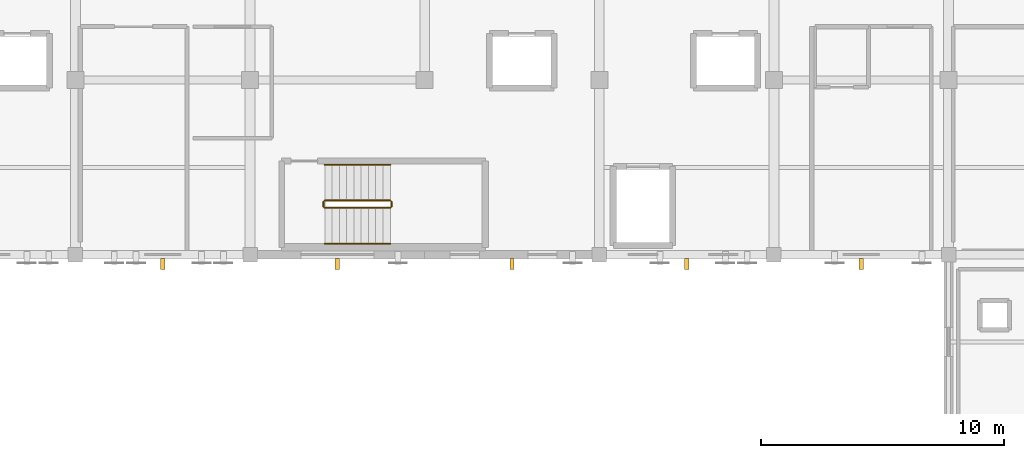
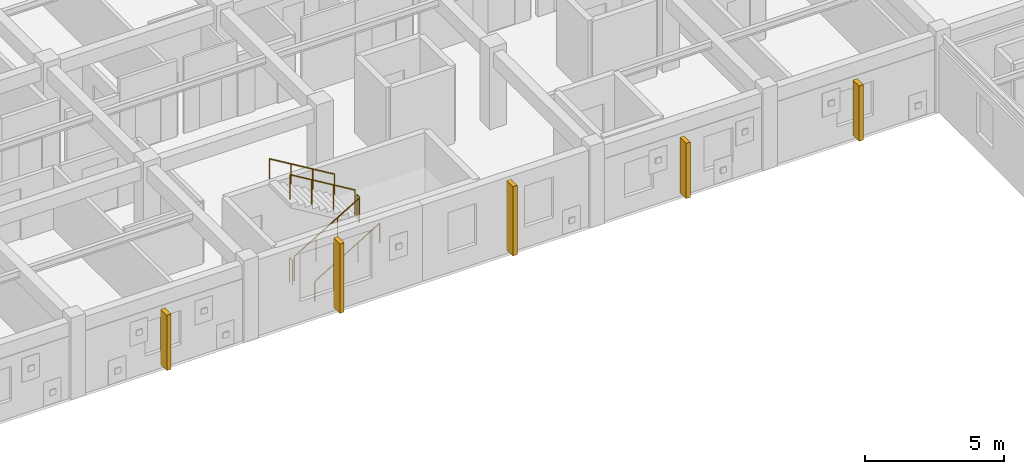
# One storey, part 71 of 73: 6 railings, 5 shading devices.
"""IFC4 building model written with IfcOpenShell, lengths in metres."""

from ifc_helpers import new_model, si_unit, direction, frame, origin, origin_2d, place, context, subcontext, project, spatial, rectangle, circle, extrude, material, layer, layer_set, type_object, element, save


model = new_model("IFC4")

# Units and contexts
model_context = context("Model", 3, precision=1e-05, world=origin(), true_north=direction((0.0, 1.0)))
body_context = subcontext(model_context, "Body", "Model", "MODEL_VIEW")
ifc_project = project(units=[si_unit("LENGTHUNIT", "METRE"), si_unit("AREAUNIT", "SQUARE_METRE"), si_unit("VOLUMEUNIT", "CUBIC_METRE"), si_unit("PLANEANGLEUNIT", "RADIAN"), si_unit("MASSUNIT", "GRAM", prefix="KILO")], contexts=[model_context])

# Site, building, storey
site_placement = place(None, origin())
site = spatial("IfcSite", under=ifc_project, at=site_placement, CompositionType="ELEMENT")
building_placement = place(site_placement, origin())
building = spatial("IfcBuilding", under=site, at=building_placement, Name="Carrowvane Square Congress Hotel", CompositionType="ELEMENT")
storey_placement = place(building_placement, frame((0.0, 0.0, 19.199951171875)))
storey = spatial("IfcBuildingStorey", under=building, at=storey_placement, Name="L04", CompositionType="ELEMENT", Elevation=19.199951171875)

# Railings
ifc_material_1 = material(Name="Stainless steel 316", Category="steel")
ifc_layer_1 = layer(ifc_material_1, 0.048095703125)
ifc_layer_set_1 = layer_set([ifc_layer_1], Name="Stainless steel 316")
railing_type_1 = type_object("IfcRailingType", Name="RLG-HR-900", PredefinedType="HANDRAIL", material=ifc_layer_set_1)
railing_1_placement = place(storey_placement, frame((101.080078125, 92.25, 0.179931640625)))
element("IfcRailing", 1, at=railing_1_placement, inside=storey, type_object=railing_type_1, Name="L04 ST3 stair handrail 1", PredefinedType="HANDRAIL", context=body_context, shape_type="SweptSolid", body=[
    extrude(circle(Radius=0.02392578125, at=origin_2d()), frame((0.0, 0.0, 0.8759765625), z_axis=(0.857472400752, 0.0, 0.514529962148), x_axis=(0.0, 1.0, 0.0)), (0.0, 0.0, 1.0), 3.148681640625),
    extrude(circle(Radius=0.02099609375, at=origin_2d()), origin(), (0.0, 0.0, 1.0), 0.851806640625),
    extrude(circle(Radius=0.02099609375, at=origin_2d()), frame((0.89990234375, 0.0, 0.5400390625)), (0.0, 0.0, 1.0), 0.851806640625),
    extrude(circle(Radius=0.02099609375, at=origin_2d()), frame((1.800048828125, 0.0, 1.080078125)), (0.0, 0.0, 1.0), 0.851806640625),
    extrude(circle(Radius=0.02099609375, at=origin_2d()), frame((2.699951171875, 0.0, 1.6201171875)), (0.0, 0.0, 1.0), 0.851806640625),
])
railing_2_placement = place(storey_placement, frame((103.780029296875, 95.510009765625, 1.97998046875)))
element("IfcRailing", 2, at=railing_2_placement, inside=storey, type_object=railing_type_1, Name="L04 ST3 stair handrail 2", PredefinedType="HANDRAIL", context=body_context, shape_type="SweptSolid", body=[
    extrude(circle(Radius=0.02392578125, at=origin_2d()), frame((0.0, 0.0, 0.8759765625), z_axis=(-0.857472400752, 0.0, 0.514529962148), x_axis=(0.0, -1.0, 0.0)), (0.0, 0.0, 1.0), 3.148681640625),
    extrude(circle(Radius=0.02099609375, at=origin_2d()), origin(), (0.0, 0.0, 1.0), 0.851806640625),
    extrude(circle(Radius=0.02099609375, at=origin_2d()), frame((-0.89990234375, 0.0, 0.5400390625)), (0.0, 0.0, 1.0), 0.851806640625),
    extrude(circle(Radius=0.02099609375, at=origin_2d()), frame((-1.800048828125, 0.0, 1.080078125)), (0.0, 0.0, 1.0), 0.851806640625),
    extrude(circle(Radius=0.02099609375, at=origin_2d()), frame((-2.699951171875, 0.0, 1.6201171875)), (0.0, 0.0, 1.0), 0.851806640625),
])
ifc_material_2 = material(Name="Galvanised steel", Category="steel")
ifc_layer_2 = layer(ifc_material_2, 0.048095703125)
ifc_layer_set_2 = layer_set([ifc_layer_2], Name="Galvanised steel")
railing_type_2 = type_object("IfcRailingType", Name="RLG-STG-1100", PredefinedType="GUARDRAIL", material=ifc_layer_set_2)
railing_3_placement = place(storey_placement, frame((101.080078125, 93.72998046875, 0.179931640625)))
element("IfcRailing", 3, at=railing_3_placement, inside=storey, type_object=railing_type_2, Name="L04 ST3 stair guard 1", PredefinedType="GUARDRAIL", context=body_context, shape_type="SweptSolid", body=[
    extrude(circle(Radius=0.02392578125, at=origin_2d()), frame((0.0, 0.0, 1.076171875), z_axis=(0.857472400752, 0.0, 0.514529962148), x_axis=(0.0, 1.0, 0.0)), (0.0, 0.0, 1.0), 3.148681640625),
    extrude(circle(Radius=0.02099609375, at=origin_2d()), origin(), (0.0, 0.0, 1.0), 1.052001953125),
    extrude(circle(Radius=0.02099609375, at=origin_2d()), frame((0.89990234375, 0.0, 0.5400390625)), (0.0, 0.0, 1.0), 1.052001953125),
    extrude(circle(Radius=0.02099609375, at=origin_2d()), frame((1.800048828125, 0.0, 1.080078125)), (0.0, 0.0, 1.0), 1.052001953125),
    extrude(circle(Radius=0.02099609375, at=origin_2d()), frame((2.699951171875, 0.0, 1.6201171875)), (0.0, 0.0, 1.0), 1.052001953125),
])
railing_4_placement = place(storey_placement, frame((103.830078125, 93.780029296875, 1.800048828125)))
element("IfcRailing", 4, at=railing_4_placement, inside=storey, type_object=railing_type_2, Name="L04 ST3 stair guard 2", PredefinedType="GUARDRAIL", context=body_context, shape_type="SweptSolid", body=[
    extrude(circle(Radius=0.02392578125, at=origin_2d()), frame((0.0, 0.0, 1.076171875), z_axis=(0.0, 1.0, 0.0), x_axis=(-1.0, 0.0, 0.0)), (0.0, 0.0, 1.0), 0.199951171875),
    extrude(circle(Radius=0.02099609375, at=origin_2d()), origin(), (0.0, 0.0, 1.0), 1.052001953125),
    extrude(circle(Radius=0.02099609375, at=origin_2d()), frame((0.0, 0.199951171875, 0.0)), (0.0, 0.0, 1.0), 1.052001953125),
])
railing_5_placement = place(storey_placement, frame((103.780029296875, 94.030029296875, 1.97998046875)))
element("IfcRailing", 5, at=railing_5_placement, inside=storey, type_object=railing_type_2, Name="L04 ST3 stair guard 3", PredefinedType="GUARDRAIL", context=body_context, shape_type="SweptSolid", body=[
    extrude(circle(Radius=0.02392578125, at=origin_2d()), frame((0.0, 0.0, 1.076171875), z_axis=(-0.857472400752, 0.0, 0.514529962148), x_axis=(0.0, -1.0, 0.0)), (0.0, 0.0, 1.0), 3.148681640625),
    extrude(circle(Radius=0.02099609375, at=origin_2d()), origin(), (0.0, 0.0, 1.0), 1.052001953125),
    extrude(circle(Radius=0.02099609375, at=origin_2d()), frame((-0.89990234375, 0.0, 0.5400390625)), (0.0, 0.0, 1.0), 1.052001953125),
    extrude(circle(Radius=0.02099609375, at=origin_2d()), frame((-1.800048828125, 0.0, 1.080078125)), (0.0, 0.0, 1.0), 1.052001953125),
    extrude(circle(Radius=0.02099609375, at=origin_2d()), frame((-2.699951171875, 0.0, 1.6201171875)), (0.0, 0.0, 1.0), 1.052001953125),
])
railing_6_placement = place(storey_placement, frame((101.030029296875, 93.780029296875, 0.0)))
element("IfcRailing", 6, at=railing_6_placement, inside=storey, type_object=railing_type_2, Name="L04 ST3 stair guard 4", PredefinedType="GUARDRAIL", context=body_context, shape_type="SweptSolid", body=[
    extrude(circle(Radius=0.02392578125, at=origin_2d()), frame((0.0, 0.0, 1.076171875), z_axis=(0.0, 1.0, 0.0), x_axis=(-1.0, 0.0, 0.0)), (0.0, 0.0, 1.0), 0.199951171875),
    extrude(circle(Radius=0.02099609375, at=origin_2d()), origin(), (0.0, 0.0, 1.0), 1.052001953125),
    extrude(circle(Radius=0.02099609375, at=origin_2d()), frame((0.0, 0.199951171875, 0.0)), (0.0, 0.0, 1.0), 1.052001953125),
])

# Shading devices
ifc_material_3 = material(Name="Portland limestone cladding", Category="masonry")
shading_device_type = type_object("IfcShadingDeviceType", Name="SHD-FIN-LS", PredefinedType="USERDEFINED", material=ifc_material_3)
for number, where, z_axis, x_axis, name in (
    (7, (123.199951171875, 91.409912109375, 0.14990234375), (0.0, 0.0, 1.0), (-1.0, 0.0, 0.0), "Limestone brise-soleil fin 30"),
    (8, (116.0, 91.409912109375, 0.14990234375), (0.0, 0.0, 1.0), (-1.0, 0.0, 0.0), "Limestone brise-soleil fin 31"),
):
    element("IfcShadingDevice", number, at=place(storey_placement, frame(where, z_axis=z_axis, x_axis=x_axis)), inside=storey, type_object=shading_device_type, Name=name, ObjectType="FIN", PredefinedType="USERDEFINED", context=body_context, shape_type="SweptSolid", body=[
        extrude(rectangle(XDim=0.179931640625, YDim=0.449951171875, at=origin_2d()), origin(), (0.0, 0.0, 1.0), 2.43505859375),
    ])
for number, where, z_axis, x_axis, name in (
    (9, (108.800048828125, 91.409912109375, 0.14990234375), (0.0, 0.0, 1.0), (-1.0, 0.0, 0.0), "Limestone brise-soleil fin 32"),
    (10, (101.60009765625, 91.409912109375, 0.14990234375), (0.0, 0.0, 1.0), (-1.0, 0.0, 0.0), "Limestone brise-soleil fin 33"),
):
    element("IfcShadingDevice", number, at=place(storey_placement, frame(where, z_axis=z_axis, x_axis=x_axis)), inside=storey, type_object=shading_device_type, Name=name, ObjectType="FIN", PredefinedType="USERDEFINED", context=body_context, shape_type="SweptSolid", body=[
        extrude(rectangle(XDim=0.179931640625, YDim=0.449951171875, at=origin_2d()), origin(), (0.0, 0.0, 1.0), 3.050048828125),
    ])
shading_device_placement = place(storey_placement, frame((94.39990234375, 91.409912109375, 0.14990234375), z_axis=(0.0, 0.0, 1.0), x_axis=(-1.0, 0.0, 0.0)))
element("IfcShadingDevice", 11, at=shading_device_placement, inside=storey, type_object=shading_device_type, Name="Limestone brise-soleil fin 34", ObjectType="FIN", PredefinedType="USERDEFINED", context=body_context, shape_type="SweptSolid", body=[
    extrude(rectangle(XDim=0.179931640625, YDim=0.449951171875, at=origin_2d()), origin(), (0.0, 0.0, 1.0), 2.43505859375),
])

save(model, "model.ifc")
